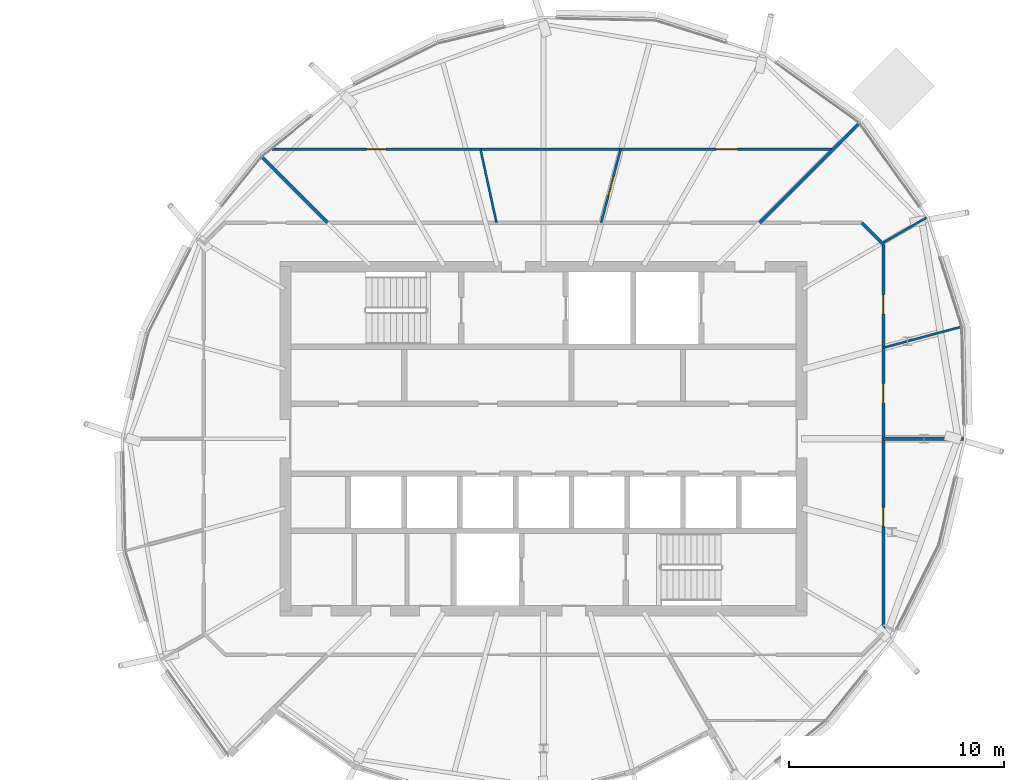
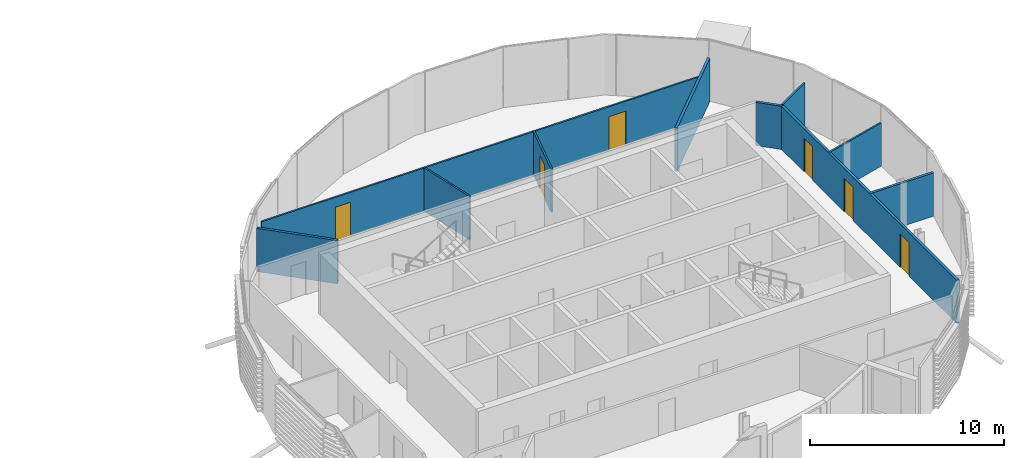
# One storey, part 21 of 35: 10 walls, 6 doors, 6 openings.
"""IFC4 building model written with IfcOpenShell, lengths in metres."""

from ifc_helpers import new_model, si_unit, direction, frame, frame_2d, origin, place, context, subcontext, project, spatial, rectangle, extrude, material, layer, layer_set, type_object, element, fill, save


model = new_model("IFC4")

# Units and contexts
model_context = context("Model", 3, precision=1e-05, world=origin(), true_north=direction((0.0, 1.0)))
body_context = subcontext(model_context, "Body", "Model", "MODEL_VIEW")
ifc_project = project(units=[si_unit("LENGTHUNIT", "METRE"), si_unit("AREAUNIT", "SQUARE_METRE"), si_unit("VOLUMEUNIT", "CUBIC_METRE"), si_unit("PLANEANGLEUNIT", "RADIAN"), si_unit("MASSUNIT", "GRAM", prefix="KILO")], contexts=[model_context])

# Site, building, storey
site_placement = place(None, origin())
site = spatial("IfcSite", under=ifc_project, at=site_placement, CompositionType="ELEMENT")
building_placement = place(site_placement, origin())
building = spatial("IfcBuilding", under=site, at=building_placement, Name="Rimbun Link Towers", CompositionType="ELEMENT")
storey_placement = place(building_placement, frame((0.0, 0.0, 225.699951171875)))
storey = spatial("IfcBuildingStorey", under=building, at=storey_placement, Name="L55", CompositionType="ELEMENT", Elevation=225.699951171875)

# Wall
ifc_material_1 = material(Name="Plasterboard on steel stud, mineral wool", Category="steel")
ifc_layer_1 = layer(ifc_material_1, 0.14990234375)
ifc_layer_set_1 = layer_set([ifc_layer_1], Name="Corridor wall EI 30 150 mm")
wall_type_1 = type_object("IfcWallType", Name="Corridor wall EI 30 150 mm", PredefinedType="PARTITIONING", material=ifc_layer_set_1)
wall_1_placement = place(storey_placement, frame((47.554931640625, 9.043701171875, 0.0), z_axis=(0.0, 0.0, 1.0), x_axis=(-0.707106781187, 0.707106781187, 0.0)))
element("IfcWall", 1, at=wall_1_placement, inside=storey, type_object=wall_type_1, Name="Corridor wall EI 30 150 mm", PredefinedType="PARTITIONING", context=body_context, shape_type="SweptSolid", body=[
    extrude(rectangle(XDim=1.416015625, YDim=0.14990234375, at=frame_2d((0.7080078125, 0.0))), origin(), (0.0, 0.0, 1.0), 2.72216796875),
])

# Wall, openings, doors
wall_2_placement = place(storey_placement, frame((47.554931640625, 9.043701171875, 0.0), z_axis=(0.0, 0.0, 1.0), x_axis=(0.0, -1.0, 0.0)))
wall_2 = element("IfcWall", 2, at=wall_2_placement, inside=storey, type_object=wall_type_1, Name="Corridor wall EI 30 150 mm", PredefinedType="PARTITIONING", context=body_context, shape_type="SweptSolid", body=[
    extrude(rectangle(XDim=18.08740234375, YDim=0.14990234375, at=frame_2d((9.043701171875, 0.0))), origin(), (0.0, 0.0, 1.0), 2.72216796875),
])
opening_1_placement = place(wall_2_placement, frame((6.476318359375, 0.0, 0.0)))
opening_1 = element("IfcOpeningElement", 3, at=opening_1_placement, cuts=wall_2, Name="Opening D02", PredefinedType="OPENING", context=body_context, shape_type="SweptSolid", body=[
    extrude(rectangle(XDim=0.89990234375, YDim=2.10009765625, at=frame_2d((0.449951171875, 1.050048828125))), frame((0.0, 0.0849609375, 0.0), z_axis=(0.0, -1.0, 0.0), x_axis=(1.0, 0.0, 0.0)), (0.0, 0.0, 1.0), 0.169921875),
])
opening_2_placement = place(wall_2_placement, frame((2.336181640625, 0.0, 0.0)))
opening_2 = element("IfcOpeningElement", 4, at=opening_2_placement, cuts=wall_2, Name="Opening D02", PredefinedType="OPENING", context=body_context, shape_type="SweptSolid", body=[
    extrude(rectangle(XDim=0.89990234375, YDim=2.10009765625, at=frame_2d((0.449951171875, 1.050048828125))), frame((0.0, 0.0849609375, 0.0), z_axis=(0.0, -1.0, 0.0), x_axis=(1.0, 0.0, 0.0)), (0.0, 0.0, 1.0), 0.169921875),
])
opening_3_placement = place(wall_2_placement, frame((12.233642578125, 0.0, 0.0)))
opening_3 = element("IfcOpeningElement", 5, at=opening_3_placement, cuts=wall_2, Name="Opening D02", PredefinedType="OPENING", context=body_context, shape_type="SweptSolid", body=[
    extrude(rectangle(XDim=0.89990234375, YDim=2.10009765625, at=frame_2d((0.449951171875, 1.050048828125))), frame((0.0, 0.0849609375, 0.0), z_axis=(0.0, -1.0, 0.0), x_axis=(1.0, 0.0, 0.0)), (0.0, 0.0, 1.0), 0.169921875),
])
ifc_material_2 = material(Name="Fire-resisting timber door leaf", Category="wood")
door_type_1 = type_object("IfcDoorType", Name="Fire door FD30S 900", OperationType="NOTDEFINED", PredefinedType="DOOR", material=ifc_material_2)
door_1_placement = place(opening_1_placement, origin())
door_1 = element("IfcDoor", 6, at=door_1_placement, inside=storey, type_object=door_type_1, Name="Fire door FD30S 900 to Pantry", OperationType="SINGLE_SWING_RIGHT", OverallHeight=2.10009765625, OverallWidth=0.89990234375, PredefinedType="DOOR", context=body_context, shape_type="SweptSolid", body=[
    extrude(rectangle(XDim=0.89990234375, YDim=2.10009765625, at=frame_2d((0.449951171875, 1.050048828125))), frame((0.0, 0.02490234375, 0.0), z_axis=(0.0, -1.0, 0.0), x_axis=(1.0, 0.0, 0.0)), (0.0, 0.0, 1.0), 0.050048828125),
])
fill(opening_1, door_1)
door_2_placement = place(opening_2_placement, origin())
door_2 = element("IfcDoor", 7, at=door_2_placement, inside=storey, type_object=door_type_1, Name="Fire door FD30S 900 to Boardroom", OperationType="SINGLE_SWING_LEFT", OverallHeight=2.10009765625, OverallWidth=0.89990234375, PredefinedType="DOOR", context=body_context, shape_type="SweptSolid", body=[
    extrude(rectangle(XDim=0.89990234375, YDim=2.10009765625, at=frame_2d((0.449951171875, 1.050048828125))), frame((0.0, 0.02490234375, 0.0), z_axis=(0.0, -1.0, 0.0), x_axis=(1.0, 0.0, 0.0)), (0.0, 0.0, 1.0), 0.050048828125),
])
fill(opening_2, door_2)
door_3_placement = place(opening_3_placement, origin())
door_3 = element("IfcDoor", 8, at=door_3_placement, inside=storey, type_object=door_type_1, Name="Fire door FD30S 900 to Meeting room", OperationType="SINGLE_SWING_RIGHT", OverallHeight=2.10009765625, OverallWidth=0.89990234375, PredefinedType="DOOR", context=body_context, shape_type="SweptSolid", body=[
    extrude(rectangle(XDim=0.89990234375, YDim=2.10009765625, at=frame_2d((0.449951171875, 1.050048828125))), frame((0.0, 0.02490234375, 0.0), z_axis=(0.0, -1.0, 0.0), x_axis=(1.0, 0.0, 0.0)), (0.0, 0.0, 1.0), 0.050048828125),
])
fill(opening_3, door_3)

# Walls
ifc_material_3 = material(Name="Plasterboard on steel stud", Category="steel")
ifc_layer_2 = layer(ifc_material_3, 0.10009765625)
ifc_layer_set_2 = layer_set([ifc_layer_2], Name="Plasterboard partition 100 mm")
wall_type_2 = type_object("IfcWallType", Name="Plasterboard partition 100 mm", PredefinedType="PARTITIONING", material=ifc_layer_set_2)
wall_3_placement = place(storey_placement, frame((51.177490234375, 5.20556640625, 0.0), z_axis=(0.0, 0.0, 1.0), x_axis=(-0.965923061481, -0.258829363287, 0.0)))
element("IfcWall", 9, at=wall_3_placement, inside=storey, type_object=wall_type_2, Name="Plasterboard partition 100 mm", PredefinedType="PARTITIONING", context=body_context, shape_type="SweptSolid", body=[
    extrude(rectangle(XDim=3.750244140625, YDim=0.10009765625, at=frame_2d((1.875, 0.0))), origin(), (0.0, 0.0, 1.0), 2.72216796875),
])
wall_4_placement = place(storey_placement, frame((49.5625, 10.2841796875, 0.0), z_axis=(0.0, 0.0, 1.0), x_axis=(-0.865997488215, -0.500048348068, 0.0)))
element("IfcWall", 10, at=wall_4_placement, inside=storey, type_object=wall_type_2, Name="Plasterboard partition 100 mm", PredefinedType="PARTITIONING", context=body_context, shape_type="SweptSolid", body=[
    extrude(rectangle(XDim=2.377685546875, YDim=0.10009765625, at=frame_2d((1.18896484375, 0.0))), origin(), (0.0, 0.0, 1.0), 2.72216796875),
])

# Wall, opening, door
wall_5_placement = place(storey_placement, frame((34.426513671875, 10.044921875, 0.0), z_axis=(0.0, 0.0, 1.0), x_axis=(0.257486629224, 0.966281861452, 0.0)))
wall_5 = element("IfcWall", 11, at=wall_5_placement, inside=storey, type_object=wall_type_2, Name="Plasterboard partition 100 mm", PredefinedType="PARTITIONING", context=body_context, shape_type="SweptSolid", body=[
    extrude(rectangle(XDim=3.53955078125, YDim=0.10009765625, at=frame_2d((1.769775390625, 0.0))), origin(), (0.0, 0.0, 1.0), 2.72216796875),
])
opening_4_placement = place(wall_5_placement, frame((1.319580078125, 0.0, 0.0)))
opening_4 = element("IfcOpeningElement", 12, at=opening_4_placement, cuts=wall_5, Name="Opening D04", PredefinedType="OPENING", context=body_context, shape_type="SweptSolid", body=[
    extrude(rectangle(XDim=0.89990234375, YDim=2.10009765625, at=frame_2d((0.449951171875, 1.050048828125))), frame((0.0, 0.06005859375, 0.0), z_axis=(0.0, -1.0, 0.0), x_axis=(1.0, 0.0, 0.0)), (0.0, 0.0, 1.0), 0.1201171875),
])
ifc_material_4 = material(Name="Timber door leaf", Category="wood")
door_type_2 = type_object("IfcDoorType", Name="Flush door 900", OperationType="NOTDEFINED", PredefinedType="DOOR", material=ifc_material_4)
door_4_placement = place(opening_4_placement, origin())
door_4 = element("IfcDoor", 13, at=door_4_placement, inside=storey, type_object=door_type_2, Name="Flush door 900 to Meeting room", OperationType="SINGLE_SWING_LEFT", OverallHeight=2.10009765625, OverallWidth=0.89990234375, PredefinedType="DOOR", context=body_context, shape_type="SweptSolid", body=[
    extrude(rectangle(XDim=0.89990234375, YDim=2.10009765625, at=frame_2d((0.449951171875, 1.050048828125))), frame((0.0, 0.02490234375, 0.0), z_axis=(0.0, -1.0, 0.0), x_axis=(1.0, 0.0, 0.0)), (0.0, 0.0, 1.0), 0.050048828125),
])
fill(opening_4, door_4)

# Wall, openings, doors
wall_6_placement = place(storey_placement, frame((19.1103515625, 13.465087890625, 0.0), z_axis=(0.0, 0.0, 1.0), x_axis=(1.0, 0.0, 0.0)))
wall_6 = element("IfcWall", 14, at=wall_6_placement, inside=storey, type_object=wall_type_2, Name="Plasterboard partition 100 mm", PredefinedType="PARTITIONING", context=body_context, shape_type="SweptSolid", body=[
    extrude(rectangle(XDim=26.104736328125, YDim=0.10009765625, at=frame_2d((13.05224609375, 0.0))), origin(), (0.0, 0.0, 1.0), 2.72216796875),
])
opening_5_placement = place(wall_6_placement, frame((20.650634765625, 0.0, 0.0)))
opening_5 = element("IfcOpeningElement", 15, at=opening_5_placement, cuts=wall_6, Name="Opening D03", PredefinedType="OPENING", context=body_context, shape_type="SweptSolid", body=[
    extrude(rectangle(XDim=1.0, YDim=2.10009765625, at=frame_2d((0.5, 1.050048828125))), frame((0.0, 0.06005859375, 0.0), z_axis=(0.0, -1.0, 0.0), x_axis=(1.0, 0.0, 0.0)), (0.0, 0.0, 1.0), 0.1201171875),
])
opening_6_placement = place(wall_6_placement, frame((4.403076171875, 0.0, 0.0)))
opening_6 = element("IfcOpeningElement", 16, at=opening_6_placement, cuts=wall_6, Name="Opening D04", PredefinedType="OPENING", context=body_context, shape_type="SweptSolid", body=[
    extrude(rectangle(XDim=0.89990234375, YDim=2.10009765625, at=frame_2d((0.449951171875, 1.050048828125))), frame((0.0, 0.06005859375, 0.0), z_axis=(0.0, -1.0, 0.0), x_axis=(1.0, 0.0, 0.0)), (0.0, 0.0, 1.0), 0.1201171875),
])
ifc_material_5 = material(Name="Timber door leaf", Category="wood")
door_type_3 = type_object("IfcDoorType", Name="Flush door 1000", OperationType="NOTDEFINED", PredefinedType="DOOR", material=ifc_material_5)
door_5_placement = place(opening_5_placement, origin())
door_5 = element("IfcDoor", 17, at=door_5_placement, inside=storey, type_object=door_type_3, Name="Flush door 1000 to Open office", OperationType="SINGLE_SWING_RIGHT", OverallHeight=2.10009765625, OverallWidth=1.0, PredefinedType="DOOR", context=body_context, shape_type="SweptSolid", body=[
    extrude(rectangle(XDim=1.0, YDim=2.10009765625, at=frame_2d((0.5, 1.050048828125))), frame((0.0, 0.02490234375, 0.0), z_axis=(0.0, -1.0, 0.0), x_axis=(1.0, 0.0, 0.0)), (0.0, 0.0, 1.0), 0.050048828125),
])
fill(opening_5, door_5)
door_6_placement = place(opening_6_placement, origin())
door_6 = element("IfcDoor", 18, at=door_6_placement, inside=storey, type_object=door_type_2, Name="Flush door 900 to Print room", OperationType="SINGLE_SWING_LEFT", OverallHeight=2.10009765625, OverallWidth=0.89990234375, PredefinedType="DOOR", context=body_context, shape_type="SweptSolid", body=[
    extrude(rectangle(XDim=0.89990234375, YDim=2.10009765625, at=frame_2d((0.449951171875, 1.050048828125))), frame((0.0, 0.02490234375, 0.0), z_axis=(0.0, -1.0, 0.0), x_axis=(1.0, 0.0, 0.0)), (0.0, 0.0, 1.0), 0.050048828125),
])
fill(opening_6, door_6)

# Walls
wall_7_placement = place(storey_placement, frame((28.816162109375, 13.465087890625, 0.0), z_axis=(0.0, 0.0, 1.0), x_axis=(0.212866861718, -0.97708121422, 0.0)))
element("IfcWall", 19, at=wall_7_placement, inside=storey, type_object=wall_type_2, Name="Plasterboard partition 100 mm", PredefinedType="PARTITIONING", context=body_context, shape_type="SweptSolid", body=[
    extrude(rectangle(XDim=3.50048828125, YDim=0.10009765625, at=frame_2d((1.750244140625, 0.0))), origin(), (0.0, 0.0, 1.0), 2.72216796875),
])
ifc_material_6 = material(Name="Plasterboard on steel stud, mineral wool", Category="steel")
ifc_layer_3 = layer(ifc_material_6, 0.14990234375)
ifc_layer_set_3 = layer_set([ifc_layer_3], Name="Tenancy separation wall EI 60 150 mm")
wall_type_3 = type_object("IfcWallType", Name="Tenancy separation wall EI 60 150 mm", PredefinedType="PARTITIONING", material=ifc_layer_set_3)
wall_8_placement = place(storey_placement, frame((41.794921875, 10.044921875, 0.0), z_axis=(0.0, 0.0, 1.0), x_axis=(0.707106781187, 0.707106781187, 0.0)))
element("IfcWall", 20, at=wall_8_placement, inside=storey, type_object=wall_type_3, Name="Tenancy separation wall EI 60 150 mm", PredefinedType="PARTITIONING", context=body_context, shape_type="SweptSolid", body=[
    extrude(rectangle(XDim=6.536865234375, YDim=0.14990234375, at=frame_2d((3.2685546875, 0.0))), origin(), (0.0, 0.0, 1.0), 2.72216796875),
])
wall_9_placement = place(storey_placement, frame((21.705078125, 10.044921875, 0.0), z_axis=(0.0, 0.0, 1.0), x_axis=(-0.707106781187, 0.707106781187, 0.0)))
element("IfcWall", 21, at=wall_9_placement, inside=storey, type_object=wall_type_3, Name="Tenancy separation wall EI 60 150 mm", PredefinedType="PARTITIONING", context=body_context, shape_type="SweptSolid", body=[
    extrude(rectangle(XDim=4.314453125, YDim=0.14990234375, at=frame_2d((2.1572265625, 0.0))), origin(), (0.0, 0.0, 1.0), 2.72216796875),
])
wall_10_placement = place(storey_placement, frame((47.554931640625, 0.0, 0.0), z_axis=(0.0, 0.0, 1.0), x_axis=(1.0, 0.0, 0.0)))
element("IfcWall", 22, at=wall_10_placement, inside=storey, type_object=wall_type_3, Name="Tenancy separation wall EI 60 150 mm", PredefinedType="PARTITIONING", context=body_context, shape_type="SweptSolid", body=[
    extrude(rectangle(XDim=3.732421875, YDim=0.14990234375, at=frame_2d((1.8662109375, 0.0))), origin(), (0.0, 0.0, 1.0), 2.72216796875),
])

save(model, "model.ifc")
